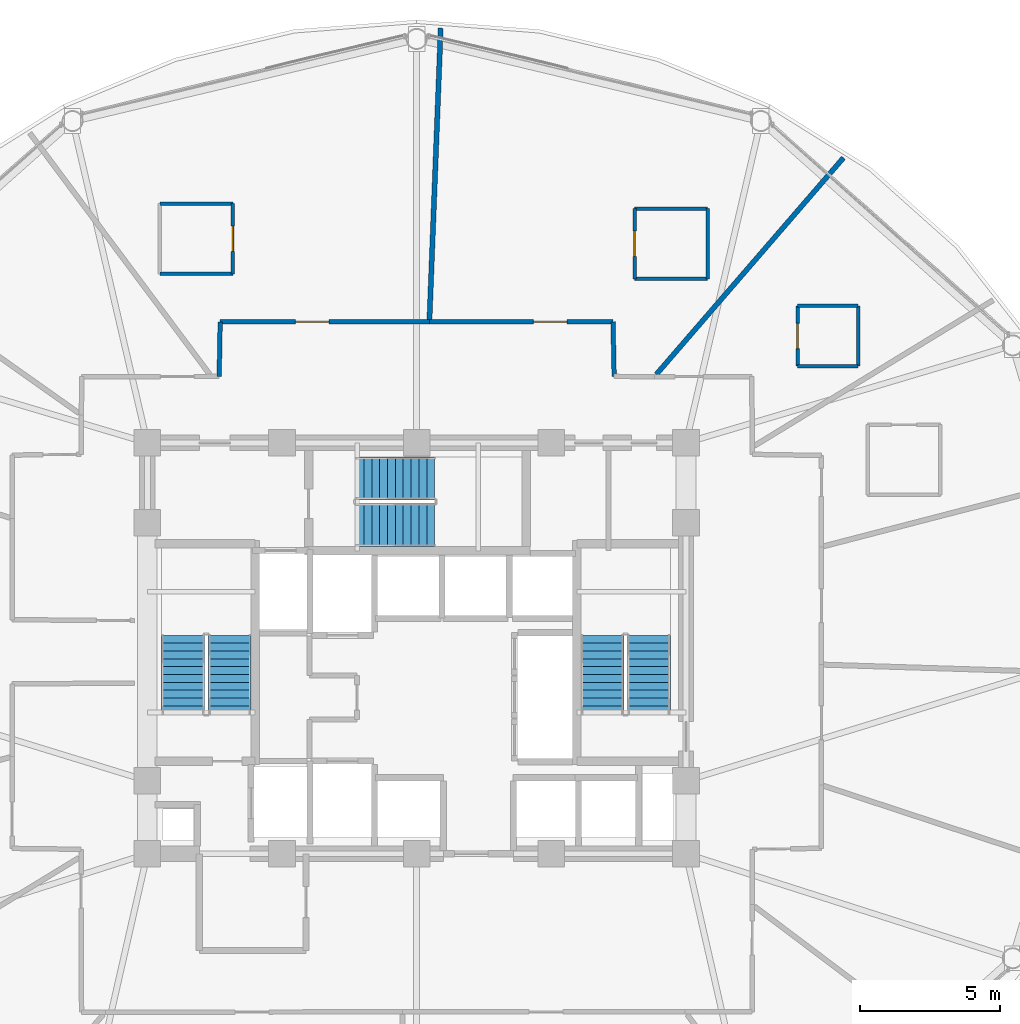
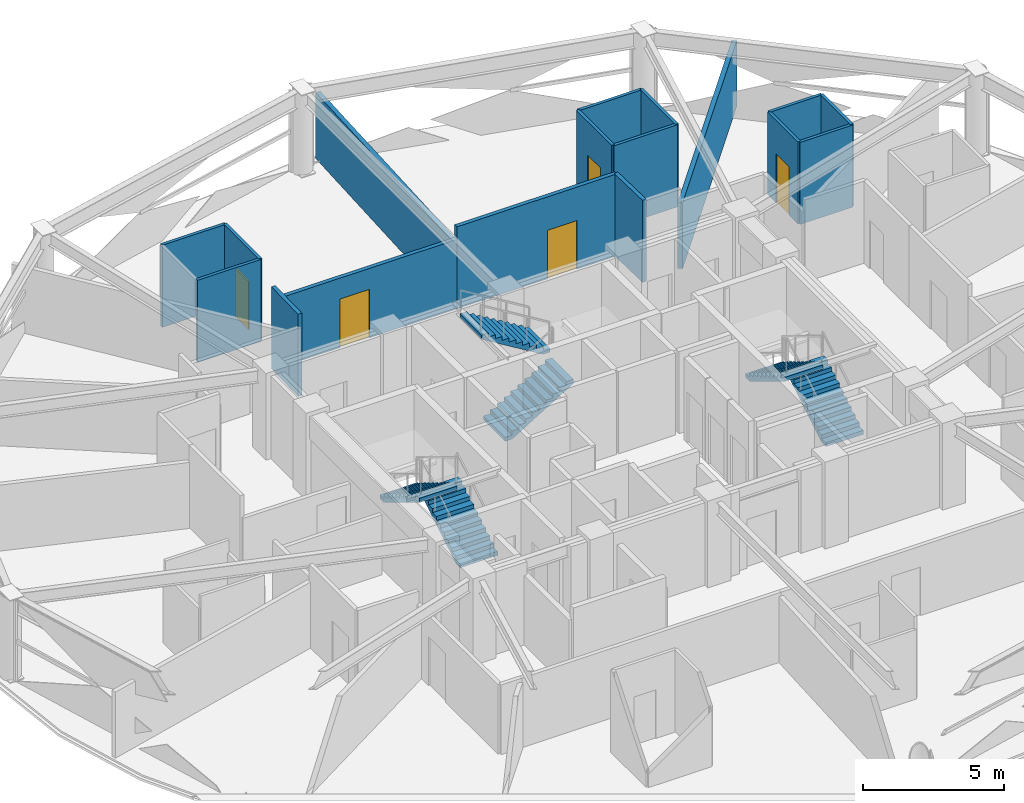
# One storey, part 25 of 29: 17 walls, 6 stair flights, 5 doors, 5 openings, 3 elements without a shape of their own.
"""IFC4 building model written with IfcOpenShell, lengths in metres."""

from ifc_helpers import new_model, si_unit, direction, frame, frame_2d, origin, place, context, subcontext, project, spatial, polyline, rectangle, outline, extrude, material, layer, layer_set, type_object, element, fill, aggregate, save


model = new_model("IFC4")

# Units and contexts
model_context = context("Model", 3, precision=1e-05, world=origin(), true_north=direction((0.0, 1.0)))
body_context = subcontext(model_context, "Body", "Model", "MODEL_VIEW")
ifc_project = project(units=[si_unit("LENGTHUNIT", "METRE"), si_unit("AREAUNIT", "SQUARE_METRE"), si_unit("VOLUMEUNIT", "CUBIC_METRE"), si_unit("PLANEANGLEUNIT", "RADIAN"), si_unit("MASSUNIT", "GRAM", prefix="KILO")], contexts=[model_context])

# Site, building, storey
site_placement = place(None, origin())
site = spatial("IfcSite", under=ifc_project, at=site_placement, CompositionType="ELEMENT")
building_placement = place(site_placement, origin())
building = spatial("IfcBuilding", under=site, at=building_placement, Name="Vantalir Tower", CompositionType="ELEMENT")
storey_placement = place(building_placement, frame((0.0, 0.0, 168.449951171875)))
storey = spatial("IfcBuildingStorey", under=building, at=storey_placement, Name="L42", CompositionType="ELEMENT", Elevation=168.449951171875)

# Walls
ifc_material_1 = material(Name="Moisture-resistant en-suite partition", Category="gypsum")
ifc_layer_1 = layer(ifc_material_1, 0.125)
ifc_layer_set_1 = layer_set([ifc_layer_1], Name="Moisture-resistant en-suite partition")
wall_type_1 = type_object("IfcWallType", Name="WL-BATH-125", PredefinedType="PARTITIONING", material=ifc_layer_set_1)
for number, where, z_axis, x_axis, name in (
    (1, (45.0830078125, 35.18310546875, 0.0), (0.0, 0.0, 1.0), (1.0, 0.0, 0.0), "L42 En-suite 02 South Wall"),
    (2, (45.0830078125, 37.3330078125, 0.0), (0.0, 0.0, 1.0), (1.0, 0.0, 0.0), "L42 En-suite 02 North Wall"),
):
    element("IfcWall", number, at=place(storey_placement, frame(where, z_axis=z_axis, x_axis=x_axis)), inside=storey, type_object=wall_type_1, Name=name, PredefinedType="PARTITIONING", context=body_context, shape_type="SweptSolid", body=[
        extrude(rectangle(XDim=2.14990234375, YDim=0.125, at=frame_2d((1.074951171875, 0.0))), origin(), (0.0, 0.0, 1.0), 3.550048828125),
    ])

# Wall, opening, door
wall_1_placement = place(storey_placement, frame((45.0830078125, 35.18310546875, 0.0), z_axis=(0.0, 0.0, 1.0), x_axis=(0.0, 1.0, 0.0)))
wall_1 = element("IfcWall", 3, at=wall_1_placement, inside=storey, type_object=wall_type_1, Name="L42 En-suite 02 West Wall", PredefinedType="PARTITIONING", context=body_context, shape_type="SweptSolid", body=[
    extrude(rectangle(XDim=2.14990234375, YDim=0.125, at=frame_2d((1.074951171875, 0.0))), origin(), (0.0, 0.0, 1.0), 3.550048828125),
])
opening_1_placement = place(wall_1_placement, frame((0.625, 0.0, 0.0)))
opening_1 = element("IfcOpeningElement", 4, at=opening_1_placement, cuts=wall_1, Name="Opening D-WC", PredefinedType="OPENING", context=body_context, shape_type="SweptSolid", body=[
    extrude(rectangle(XDim=0.89990234375, YDim=2.10009765625, at=frame_2d((0.449951171875, 1.050048828125))), frame((0.0, 0.072509765625, 0.0), z_axis=(0.0, -1.0, 0.0), x_axis=(1.0, 0.0, 0.0)), (0.0, 0.0, 1.0), 0.14501953125),
])
ifc_material_2 = material(Name="Moisture-resistant hardwood door", Category="wood")
door_type_1 = type_object("IfcDoorType", Name="DR-ENSUITE-900", OperationType="NOTDEFINED", PredefinedType="DOOR", material=ifc_material_2)
door_1_placement = place(opening_1_placement, frame((0.89990234375, 0.0, 0.0), z_axis=(0.0, 0.0, 1.0), x_axis=(-1.0, 0.0, 0.0)))
door_1 = element("IfcDoor", 5, at=door_1_placement, inside=storey, type_object=door_type_1, Name="L42 En-suite 02 Door", OperationType="SINGLE_SWING_LEFT", OverallHeight=2.10009765625, OverallWidth=0.89990234375, PredefinedType="DOOR", context=body_context, shape_type="SweptSolid", body=[
    extrude(rectangle(XDim=0.89990234375, YDim=2.10009765625, at=frame_2d((0.449951171875, 1.050048828125))), frame((0.0, 0.02490234375, 0.0), z_axis=(0.0, -1.0, 0.0), x_axis=(1.0, 0.0, 0.0)), (0.0, 0.0, 1.0), 0.050048828125),
])
fill(opening_1, door_1)

# Walls
wall_2_placement = place(storey_placement, frame((47.23291015625, 35.18310546875, 0.0), z_axis=(0.0, 0.0, 1.0), x_axis=(0.0, 1.0, 0.0)))
element("IfcWall", 6, at=wall_2_placement, inside=storey, type_object=wall_type_1, Name="L42 En-suite 02 East Wall", PredefinedType="PARTITIONING", context=body_context, shape_type="SweptSolid", body=[
    extrude(rectangle(XDim=2.14990234375, YDim=0.125, at=frame_2d((1.074951171875, 0.0))), origin(), (0.0, 0.0, 1.0), 3.550048828125),
])
for number, where, z_axis, x_axis, name in (
    (7, (39.27001953125, 38.298095703125, 0.0), (0.0, 0.0, 1.0), (1.0, 0.0, 0.0), "L42 En-suite 03 South Wall"),
    (8, (39.27001953125, 40.798095703125, 0.0), (0.0, 0.0, 1.0), (1.0, 0.0, 0.0), "L42 En-suite 03 North Wall"),
):
    element("IfcWall", number, at=place(storey_placement, frame(where, z_axis=z_axis, x_axis=x_axis)), inside=storey, type_object=wall_type_1, Name=name, PredefinedType="PARTITIONING", context=body_context, shape_type="SweptSolid", body=[
        extrude(rectangle(XDim=2.60009765625, YDim=0.125, at=frame_2d((1.300048828125, 0.0))), origin(), (0.0, 0.0, 1.0), 3.550048828125),
    ])

# Wall, opening, door
wall_3_placement = place(storey_placement, frame((39.27001953125, 38.298095703125, 0.0), z_axis=(0.0, 0.0, 1.0), x_axis=(0.0, 1.0, 0.0)))
wall_3 = element("IfcWall", 9, at=wall_3_placement, inside=storey, type_object=wall_type_1, Name="L42 En-suite 03 West Wall", PredefinedType="PARTITIONING", context=body_context, shape_type="SweptSolid", body=[
    extrude(rectangle(XDim=2.5, YDim=0.125, at=frame_2d((1.25, 0.0))), origin(), (0.0, 0.0, 1.0), 3.550048828125),
])
opening_2_placement = place(wall_3_placement, frame((0.800048828125, 0.0, 0.0)))
opening_2 = element("IfcOpeningElement", 10, at=opening_2_placement, cuts=wall_3, Name="Opening D-WC", PredefinedType="OPENING", context=body_context, shape_type="SweptSolid", body=[
    extrude(rectangle(XDim=0.89990234375, YDim=2.10009765625, at=frame_2d((0.449951171875, 1.050048828125))), frame((0.0, 0.072509765625, 0.0), z_axis=(0.0, -1.0, 0.0), x_axis=(1.0, 0.0, 0.0)), (0.0, 0.0, 1.0), 0.14501953125),
])
door_2_placement = place(opening_2_placement, frame((0.89990234375, 0.0, 0.0), z_axis=(0.0, 0.0, 1.0), x_axis=(-1.0, 0.0, 0.0)))
door_2 = element("IfcDoor", 11, at=door_2_placement, inside=storey, type_object=door_type_1, Name="L42 En-suite 03 Door", OperationType="SINGLE_SWING_RIGHT", OverallHeight=2.10009765625, OverallWidth=0.89990234375, PredefinedType="DOOR", context=body_context, shape_type="SweptSolid", body=[
    extrude(rectangle(XDim=0.89990234375, YDim=2.10009765625, at=frame_2d((0.449951171875, 1.050048828125))), frame((0.0, 0.02490234375, 0.0), z_axis=(0.0, -1.0, 0.0), x_axis=(1.0, 0.0, 0.0)), (0.0, 0.0, 1.0), 0.050048828125),
])
fill(opening_2, door_2)

# Walls
wall_4_placement = place(storey_placement, frame((41.8701171875, 38.298095703125, 0.0), z_axis=(0.0, 0.0, 1.0), x_axis=(0.0, 1.0, 0.0)))
element("IfcWall", 12, at=wall_4_placement, inside=storey, type_object=wall_type_1, Name="L42 En-suite 03 East Wall", PredefinedType="PARTITIONING", context=body_context, shape_type="SweptSolid", body=[
    extrude(rectangle(XDim=2.5, YDim=0.125, at=frame_2d((1.25, 0.0))), origin(), (0.0, 0.0, 1.0), 3.550048828125),
])
for number, where, z_axis, x_axis, name in (
    (13, (22.34912109375, 38.47705078125, 0.0), (0.0, 0.0, 1.0), (1.0, 0.0, 0.0), "L42 En-suite 04 South Wall"),
    (14, (22.34912109375, 40.97705078125, 0.0), (0.0, 0.0, 1.0), (1.0, 0.0, 0.0), "L42 En-suite 04 North Wall"),
):
    element("IfcWall", number, at=place(storey_placement, frame(where, z_axis=z_axis, x_axis=x_axis)), inside=storey, type_object=wall_type_1, Name=name, PredefinedType="PARTITIONING", context=body_context, shape_type="SweptSolid", body=[
        extrude(rectangle(XDim=2.599853515625, YDim=0.125, at=frame_2d((1.2998046875, 0.0))), origin(), (0.0, 0.0, 1.0), 3.550048828125),
    ])

# Wall, opening, door
wall_5_placement = place(storey_placement, frame((24.948974609375, 38.47705078125, 0.0), z_axis=(0.0, 0.0, 1.0), x_axis=(0.0, 1.0, 0.0)))
wall_5 = element("IfcWall", 15, at=wall_5_placement, inside=storey, type_object=wall_type_1, Name="L42 En-suite 04 East Wall", PredefinedType="PARTITIONING", context=body_context, shape_type="SweptSolid", body=[
    extrude(rectangle(XDim=2.5, YDim=0.125, at=frame_2d((1.25, 0.0))), origin(), (0.0, 0.0, 1.0), 3.550048828125),
])
opening_3_placement = place(wall_5_placement, frame((0.800048828125, 0.0, 0.0)))
opening_3 = element("IfcOpeningElement", 16, at=opening_3_placement, cuts=wall_5, Name="Opening D-WC", PredefinedType="OPENING", context=body_context, shape_type="SweptSolid", body=[
    extrude(rectangle(XDim=0.89990234375, YDim=2.10009765625, at=frame_2d((0.449951171875, 1.050048828125))), frame((0.0, 0.072509765625, 0.0), z_axis=(0.0, -1.0, 0.0), x_axis=(1.0, 0.0, 0.0)), (0.0, 0.0, 1.0), 0.14501953125),
])
door_3_placement = place(opening_3_placement, origin())
door_3 = element("IfcDoor", 17, at=door_3_placement, inside=storey, type_object=door_type_1, Name="L42 En-suite 04 Door", OperationType="SINGLE_SWING_LEFT", OverallHeight=2.10009765625, OverallWidth=0.89990234375, PredefinedType="DOOR", context=body_context, shape_type="SweptSolid", body=[
    extrude(rectangle(XDim=0.89990234375, YDim=2.10009765625, at=frame_2d((0.449951171875, 1.050048828125))), frame((0.0, 0.02490234375, 0.0), z_axis=(0.0, -1.0, 0.0), x_axis=(1.0, 0.0, 0.0)), (0.0, 0.0, 1.0), 0.050048828125),
])
fill(opening_3, door_3)

# Wall
ifc_material_3 = material(Name="Fire-rated hotel corridor acoustic partition", Category="gypsum")
ifc_layer_2 = layer(ifc_material_3, 0.159912109375)
ifc_layer_set_2 = layer_set([ifc_layer_2], Name="Fire-rated hotel corridor acoustic partition")
wall_type_2 = type_object("IfcWallType", Name="WL-CORR-160", PredefinedType="PARTITIONING", material=ifc_layer_set_2)
wall_6_placement = place(storey_placement, frame((24.4599609375, 34.81494140625, 0.0), z_axis=(0.0, 0.0, 1.0), x_axis=(0.018526930954, 0.999828361685, 0.0)))
element("IfcWall", 18, at=wall_6_placement, inside=storey, type_object=wall_type_2, Name="L42 Corridor Partition 08", PredefinedType="PARTITIONING", context=body_context, shape_type="SweptSolid", body=[
    extrude(rectangle(XDim=1.9501953125, YDim=0.159912109375, at=frame_2d((0.97509765625, 0.0))), origin(), (0.0, 0.0, 1.0), 3.550048828125),
])

# Wall, opening, door
wall_7_placement = place(storey_placement, frame((24.49609375, 36.764892578125, 0.0), z_axis=(0.0, 0.0, 1.0), x_axis=(1.0, 0.0, 0.0)))
wall_7 = element("IfcWall", 19, at=wall_7_placement, inside=storey, type_object=wall_type_2, Name="L42 Corridor Partition 09", PredefinedType="PARTITIONING", context=body_context, shape_type="SweptSolid", body=[
    extrude(rectangle(XDim=7.4580078125, YDim=0.159912109375, at=frame_2d((3.72900390625, 0.0))), origin(), (0.0, 0.0, 1.0), 3.006103515625),
])
opening_4_placement = place(wall_7_placement, frame((2.68408203125, 0.0, 0.0)))
opening_4 = element("IfcOpeningElement", 20, at=opening_4_placement, cuts=wall_7, Name="Opening D-STE", PredefinedType="OPENING", context=body_context, shape_type="SweptSolid", body=[
    extrude(rectangle(XDim=1.199951171875, YDim=2.10009765625, at=frame_2d((0.60009765625, 1.050048828125))), frame((0.0, 0.08984375, 0.0), z_axis=(0.0, -1.0, 0.0), x_axis=(1.0, 0.0, 0.0)), (0.0, 0.0, 1.0), 0.179931640625),
])
ifc_material_4 = material(Name="Solid-core teak veneer suite entrance door", Category="wood")
door_type_2 = type_object("IfcDoorType", Name="DR-SUITE-ENTRY-1200", OperationType="NOTDEFINED", PredefinedType="DOOR", material=ifc_material_4)
door_4_placement = place(opening_4_placement, origin())
door_4 = element("IfcDoor", 21, at=door_4_placement, inside=storey, type_object=door_type_2, Name="L42 Corner Panorama Hotel Suite 04 Door", OperationType="SINGLE_SWING_RIGHT", OverallHeight=2.10009765625, OverallWidth=1.199951171875, PredefinedType="DOOR", context=body_context, shape_type="SweptSolid", body=[
    extrude(rectangle(XDim=1.199951171875, YDim=2.10009765625, at=frame_2d((0.60009765625, 1.050048828125))), frame((0.0, 0.02490234375, 0.0), z_axis=(0.0, -1.0, 0.0), x_axis=(1.0, 0.0, 0.0)), (0.0, 0.0, 1.0), 0.050048828125),
])
fill(opening_4, door_4)

wall_8_placement = place(storey_placement, frame((31.9541015625, 36.764892578125, 0.0), z_axis=(0.0, 0.0, 1.0), x_axis=(1.0, 0.0, 0.0)))
wall_8 = element("IfcWall", 22, at=wall_8_placement, inside=storey, type_object=wall_type_2, Name="L42 Corridor Partition 10", PredefinedType="PARTITIONING", context=body_context, shape_type="SweptSolid", body=[
    extrude(rectangle(XDim=6.5458984375, YDim=0.159912109375, at=frame_2d((3.27294921875, 0.0))), origin(), (0.0, 0.0, 1.0), 3.550048828125),
])
opening_5_placement = place(wall_8_placement, frame((3.7080078125, 0.0, 0.0)))
opening_5 = element("IfcOpeningElement", 23, at=opening_5_placement, cuts=wall_8, Name="Opening D-STE", PredefinedType="OPENING", context=body_context, shape_type="SweptSolid", body=[
    extrude(rectangle(XDim=1.199951171875, YDim=2.10009765625, at=frame_2d((0.60009765625, 1.050048828125))), frame((0.0, 0.08984375, 0.0), z_axis=(0.0, -1.0, 0.0), x_axis=(1.0, 0.0, 0.0)), (0.0, 0.0, 1.0), 0.179931640625),
])
door_5_placement = place(opening_5_placement, origin())
door_5 = element("IfcDoor", 24, at=door_5_placement, inside=storey, type_object=door_type_2, Name="L42 Executive Club Hotel Suite 03 Door", OperationType="SINGLE_SWING_LEFT", OverallHeight=2.10009765625, OverallWidth=1.199951171875, PredefinedType="DOOR", context=body_context, shape_type="SweptSolid", body=[
    extrude(rectangle(XDim=1.199951171875, YDim=2.10009765625, at=frame_2d((0.60009765625, 1.050048828125))), frame((0.0, 0.02490234375, 0.0), z_axis=(0.0, -1.0, 0.0), x_axis=(1.0, 0.0, 0.0)), (0.0, 0.0, 1.0), 0.050048828125),
])
fill(opening_5, door_5)

# Walls
wall_9_placement = place(storey_placement, frame((38.5, 36.764892578125, 0.0), z_axis=(0.0, 0.0, 1.0), x_axis=(0.020529039459, -0.999789257063, 0.0)))
element("IfcWall", 25, at=wall_9_placement, inside=storey, type_object=wall_type_2, Name="L42 Corridor Partition 11", PredefinedType="PARTITIONING", context=body_context, shape_type="SweptSolid", body=[
    extrude(rectangle(XDim=1.950439453125, YDim=0.159912109375, at=frame_2d((0.97509765625, 0.0))), origin(), (0.0, 0.0, 1.0), 3.550048828125),
])
ifc_material_5 = material(Name="Twin-stud acoustic fire-rated gypsum partition", Category="gypsum")
ifc_layer_3 = layer(ifc_material_5, 0.179931640625)
ifc_layer_set_3 = layer_set([ifc_layer_3], Name="Twin-stud acoustic fire-rated gypsum partition")
wall_type_3 = type_object("IfcWallType", Name="WL-GUEST-180", PredefinedType="PARTITIONING", material=ifc_layer_set_3)
wall_10_placement = place(storey_placement, frame((40.0439453125, 34.889892578125, 0.0), z_axis=(0.0, 0.0, 1.0), x_axis=(0.653771871809, 0.756691707125, 0.0)))
element("IfcWall", 26, at=wall_10_placement, inside=storey, type_object=wall_type_3, Name="L42 Radial Suite Partition 03", PredefinedType="PARTITIONING", context=body_context, shape_type="SweptSolid", body=[
    extrude(rectangle(XDim=10.20263671875, YDim=0.179931640625, at=frame_2d((5.101318359375, 0.0))), origin(), (0.0, 0.0, 1.0), 2.85205078125),
])
wall_11_placement = place(storey_placement, frame((31.95703125, 36.840087890625, 0.0), z_axis=(0.0, 0.0, 1.0), x_axis=(0.038551241221, 0.999256624597, 0.0)))
element("IfcWall", 27, at=wall_11_placement, inside=storey, type_object=wall_type_3, Name="L42 Radial Suite Partition 04", PredefinedType="PARTITIONING", context=body_context, shape_type="SweptSolid", body=[
    extrude(rectangle(XDim=10.398681640625, YDim=0.179931640625, at=frame_2d((5.19921875, 0.0))), origin(), (0.0, 0.0, 1.0), 2.85205078125),
])

# Stair, stair flights
ifc_material_6 = material(Name="Concrete C40/50", Category="concrete")
stair_type = type_object("IfcStairType", Name="STR-CORE-1450", PredefinedType="HALF_TURN_STAIR", material=ifc_material_6)
stair_1_placement = place(storey_placement, origin())
stair_1 = element("IfcStair", 28, at=stair_1_placement, inside=storey, type_object=stair_type, Name="L42 Core Exit Stair 1", PredefinedType="HALF_TURN_STAIR")
stair_flight_type = type_object("IfcStairFlightType", Name="FLT-CORE-1450", PredefinedType="STRAIGHT", material=ifc_material_6)
stair_flight_1_placement = place(storey_placement, frame((24.830078125, 22.7900390625, 0.0), z_axis=(0.0, 0.0, 1.0), x_axis=(0.0, 1.0, 0.0)))
stair_flight_1 = element("IfcStairFlight", 29, at=stair_flight_1_placement, type_object=stair_flight_type, Name="ST1 flight 1", NumberOfRisers=11, NumberOfTreads=10, PredefinedType="STRAIGHT", RiserHeight=0.170454545, TreadLength=0.28, context=body_context, shape_type="SweptSolid", body=[
    extrude(outline(polyline([(0.0, 0.0), (0.0, 0.17041015625), (0.280029296875, 0.17041015625), (0.280029296875, 0.3408203125), (0.56005859375, 0.3408203125), (0.56005859375, 0.511474609375), (0.840087890625, 0.511474609375), (0.840087890625, 0.681884765625), (1.1201171875, 0.681884765625), (1.1201171875, 0.852294921875), (1.39990234375, 0.852294921875), (1.39990234375, 1.022705078125), (1.679931640625, 1.022705078125), (1.679931640625, 1.193115234375), (1.9599609375, 1.193115234375), (1.9599609375, 1.363525390625), (2.239990234375, 1.363525390625), (2.239990234375, 1.5341796875), (2.52001953125, 1.5341796875), (2.52001953125, 1.70458984375), (2.800048828125, 1.70458984375), (2.800048828125, 1.875), (2.800048828125, 1.529052734375), (0.288330078125, 0.0), (0.0, 0.0)])), frame((0.0, 0.77001953125, 0.0), z_axis=(0.0, -1.0, 0.0), x_axis=(1.0, 0.0, 0.0)), (0.0, 0.0, 1.0), 1.5400390625),
])
stair_flight_2_placement = place(storey_placement, frame((23.169921875, 25.590087890625, 1.875), z_axis=(0.0, 0.0, 1.0), x_axis=(0.0, -1.0, 0.0)))
stair_flight_2 = element("IfcStairFlight", 30, at=stair_flight_2_placement, type_object=stair_flight_type, Name="ST1 flight 2", NumberOfRisers=11, NumberOfTreads=10, PredefinedType="STRAIGHT", RiserHeight=0.170454545, TreadLength=0.28, context=body_context, shape_type="SweptSolid", body=[
    extrude(outline(polyline([(0.0, 0.0), (0.0, 0.17041015625), (0.280029296875, 0.17041015625), (0.280029296875, 0.3408203125), (0.56005859375, 0.3408203125), (0.56005859375, 0.511474609375), (0.840087890625, 0.511474609375), (0.840087890625, 0.681884765625), (1.1201171875, 0.681884765625), (1.1201171875, 0.852294921875), (1.39990234375, 0.852294921875), (1.39990234375, 1.022705078125), (1.679931640625, 1.022705078125), (1.679931640625, 1.193115234375), (1.9599609375, 1.193115234375), (1.9599609375, 1.363525390625), (2.239990234375, 1.363525390625), (2.239990234375, 1.5341796875), (2.52001953125, 1.5341796875), (2.52001953125, 1.70458984375), (2.800048828125, 1.70458984375), (2.800048828125, 1.875), (2.800048828125, 1.529052734375), (0.288330078125, 0.0), (0.0, 0.0)])), frame((0.0, 0.77001953125, 0.0), z_axis=(0.0, -1.0, 0.0), x_axis=(1.0, 0.0, 0.0)), (0.0, 0.0, 1.0), 1.5400390625),
])
aggregate(stair_1, [stair_flight_1, stair_flight_2])

stair_2_placement = place(storey_placement, origin())
stair_2 = element("IfcStair", 31, at=stair_2_placement, inside=storey, type_object=stair_type, Name="L42 Core Exit Stair 2", PredefinedType="HALF_TURN_STAIR")
stair_flight_3_placement = place(storey_placement, frame((39.780029296875, 22.7900390625, 0.0), z_axis=(0.0, 0.0, 1.0), x_axis=(0.0, 1.0, 0.0)))
stair_flight_3 = element("IfcStairFlight", 32, at=stair_flight_3_placement, type_object=stair_flight_type, Name="ST2 flight 1", NumberOfRisers=11, NumberOfTreads=10, PredefinedType="STRAIGHT", RiserHeight=0.170454545, TreadLength=0.28, context=body_context, shape_type="SweptSolid", body=[
    extrude(outline(polyline([(0.0, 0.0), (0.0, 0.17041015625), (0.280029296875, 0.17041015625), (0.280029296875, 0.3408203125), (0.56005859375, 0.3408203125), (0.56005859375, 0.511474609375), (0.840087890625, 0.511474609375), (0.840087890625, 0.681884765625), (1.1201171875, 0.681884765625), (1.1201171875, 0.852294921875), (1.39990234375, 0.852294921875), (1.39990234375, 1.022705078125), (1.679931640625, 1.022705078125), (1.679931640625, 1.193115234375), (1.9599609375, 1.193115234375), (1.9599609375, 1.363525390625), (2.239990234375, 1.363525390625), (2.239990234375, 1.5341796875), (2.52001953125, 1.5341796875), (2.52001953125, 1.70458984375), (2.800048828125, 1.70458984375), (2.800048828125, 1.875), (2.800048828125, 1.529052734375), (0.288330078125, 0.0), (0.0, 0.0)])), frame((0.0, 0.77001953125, 0.0), z_axis=(0.0, -1.0, 0.0), x_axis=(1.0, 0.0, 0.0)), (0.0, 0.0, 1.0), 1.5400390625),
])
stair_flight_4_placement = place(storey_placement, frame((38.1201171875, 25.590087890625, 1.875), z_axis=(0.0, 0.0, 1.0), x_axis=(0.0, -1.0, 0.0)))
stair_flight_4 = element("IfcStairFlight", 33, at=stair_flight_4_placement, type_object=stair_flight_type, Name="ST2 flight 2", NumberOfRisers=11, NumberOfTreads=10, PredefinedType="STRAIGHT", RiserHeight=0.170454545, TreadLength=0.28, context=body_context, shape_type="SweptSolid", body=[
    extrude(outline(polyline([(0.0, 0.0), (0.0, 0.17041015625), (0.280029296875, 0.17041015625), (0.280029296875, 0.3408203125), (0.56005859375, 0.3408203125), (0.56005859375, 0.511474609375), (0.840087890625, 0.511474609375), (0.840087890625, 0.681884765625), (1.1201171875, 0.681884765625), (1.1201171875, 0.852294921875), (1.39990234375, 0.852294921875), (1.39990234375, 1.022705078125), (1.679931640625, 1.022705078125), (1.679931640625, 1.193115234375), (1.9599609375, 1.193115234375), (1.9599609375, 1.363525390625), (2.239990234375, 1.363525390625), (2.239990234375, 1.5341796875), (2.52001953125, 1.5341796875), (2.52001953125, 1.70458984375), (2.800048828125, 1.70458984375), (2.800048828125, 1.875), (2.800048828125, 1.529052734375), (0.288330078125, 0.0), (0.0, 0.0)])), frame((0.0, 0.77001953125, 0.0), z_axis=(0.0, -1.0, 0.0), x_axis=(1.0, 0.0, 0.0)), (0.0, 0.0, 1.0), 1.5400390625),
])
aggregate(stair_2, [stair_flight_3, stair_flight_4])

stair_3_placement = place(storey_placement, origin())
stair_3 = element("IfcStair", 34, at=stair_3_placement, inside=storey, type_object=stair_type, Name="L42 Core Exit Stair 3", PredefinedType="HALF_TURN_STAIR")
stair_flight_5_placement = place(storey_placement, frame((29.340087890625, 29.52001953125, 0.0), z_axis=(0.0, 0.0, 1.0), x_axis=(1.0, 0.0, 0.0)))
stair_flight_5 = element("IfcStairFlight", 35, at=stair_flight_5_placement, type_object=stair_flight_type, Name="ST3 flight 1", NumberOfRisers=11, NumberOfTreads=10, PredefinedType="STRAIGHT", RiserHeight=0.170454545, TreadLength=0.28, context=body_context, shape_type="SweptSolid", body=[
    extrude(outline(polyline([(0.0, 0.0), (0.0, 0.17041015625), (0.280029296875, 0.17041015625), (0.280029296875, 0.3408203125), (0.56005859375, 0.3408203125), (0.56005859375, 0.511474609375), (0.840087890625, 0.511474609375), (0.840087890625, 0.681884765625), (1.1201171875, 0.681884765625), (1.1201171875, 0.852294921875), (1.39990234375, 0.852294921875), (1.39990234375, 1.022705078125), (1.679931640625, 1.022705078125), (1.679931640625, 1.193115234375), (1.9599609375, 1.193115234375), (1.9599609375, 1.363525390625), (2.239990234375, 1.363525390625), (2.239990234375, 1.5341796875), (2.52001953125, 1.5341796875), (2.52001953125, 1.70458984375), (2.800048828125, 1.70458984375), (2.800048828125, 1.875), (2.800048828125, 1.529052734375), (0.288330078125, 0.0), (0.0, 0.0)])), frame((0.0, 0.77001953125, 0.0), z_axis=(0.0, -1.0, 0.0), x_axis=(1.0, 0.0, 0.0)), (0.0, 0.0, 1.0), 1.5400390625),
])
stair_flight_6_placement = place(storey_placement, frame((32.139892578125, 31.179931640625, 1.875), z_axis=(0.0, 0.0, 1.0), x_axis=(-1.0, 0.0, 0.0)))
stair_flight_6 = element("IfcStairFlight", 36, at=stair_flight_6_placement, type_object=stair_flight_type, Name="ST3 flight 2", NumberOfRisers=11, NumberOfTreads=10, PredefinedType="STRAIGHT", RiserHeight=0.170454545, TreadLength=0.28, context=body_context, shape_type="SweptSolid", body=[
    extrude(outline(polyline([(0.0, 0.0), (0.0, 0.17041015625), (0.280029296875, 0.17041015625), (0.280029296875, 0.3408203125), (0.56005859375, 0.3408203125), (0.56005859375, 0.511474609375), (0.840087890625, 0.511474609375), (0.840087890625, 0.681884765625), (1.1201171875, 0.681884765625), (1.1201171875, 0.852294921875), (1.39990234375, 0.852294921875), (1.39990234375, 1.022705078125), (1.679931640625, 1.022705078125), (1.679931640625, 1.193115234375), (1.9599609375, 1.193115234375), (1.9599609375, 1.363525390625), (2.239990234375, 1.363525390625), (2.239990234375, 1.5341796875), (2.52001953125, 1.5341796875), (2.52001953125, 1.70458984375), (2.800048828125, 1.70458984375), (2.800048828125, 1.875), (2.800048828125, 1.529052734375), (0.288330078125, 0.0), (0.0, 0.0)])), frame((0.0, 0.77001953125, 0.0), z_axis=(0.0, -1.0, 0.0), x_axis=(1.0, 0.0, 0.0)), (0.0, 0.0, 1.0), 1.5400390625),
])
aggregate(stair_3, [stair_flight_5, stair_flight_6])

save(model, "model.ifc")
